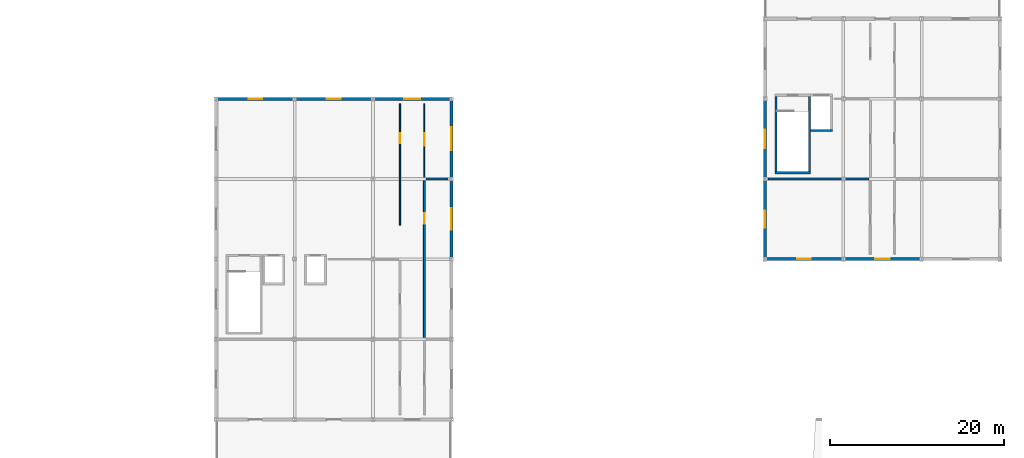
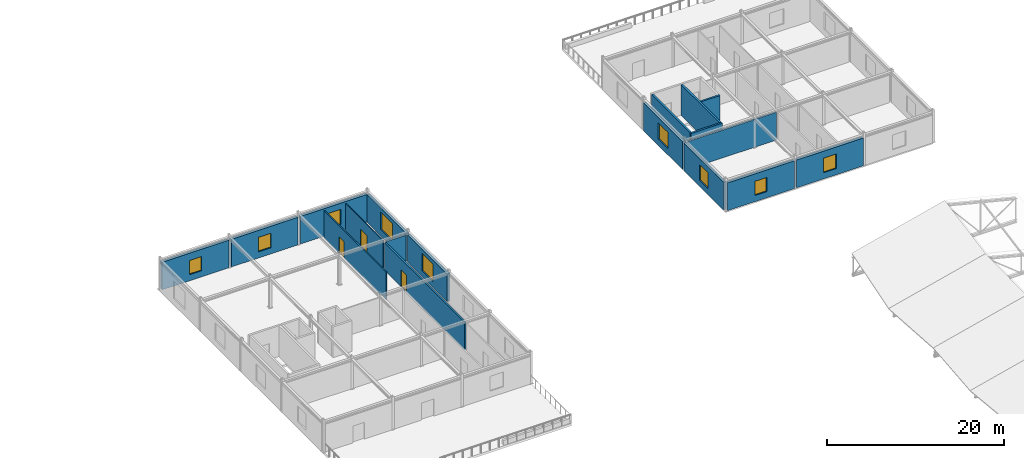
# One storey, part 29 of 33: 18 walls, 9 windows, 3 doors, 12 openings.
"""IFC4 building model written with IfcOpenShell, lengths in metres."""

from ifc_helpers import new_model, si_unit, direction, frame, frame_2d, origin, place, context, subcontext, project, spatial, rectangle, extrude, material, layer, layer_set, type_object, element, fill, save


model = new_model("IFC4")

# Units and contexts
model_context = context("Model", 3, precision=1e-05, world=origin(), true_north=direction((0.0, 1.0)))
body_context = subcontext(model_context, "Body", "Model", "MODEL_VIEW")
ifc_project = project(units=[si_unit("LENGTHUNIT", "METRE"), si_unit("AREAUNIT", "SQUARE_METRE"), si_unit("VOLUMEUNIT", "CUBIC_METRE"), si_unit("PLANEANGLEUNIT", "RADIAN"), si_unit("MASSUNIT", "GRAM", prefix="KILO")], contexts=[model_context])

# Site, building, storey
site_placement = place(None, origin())
site = spatial("IfcSite", under=ifc_project, at=site_placement, CompositionType="ELEMENT")
building_placement = place(site_placement, origin())
building = spatial("IfcBuilding", under=site, at=building_placement, Name="Bozkorgan Art Gallery", CompositionType="ELEMENT")
storey_placement = place(building_placement, frame((0.0, 0.0, 19.5)))
storey = spatial("IfcBuildingStorey", under=building, at=storey_placement, Name="L04", CompositionType="ELEMENT", Elevation=19.5)

# Walls
ifc_material_1 = material(Name="Concrete C40/50", Category="concrete")
ifc_layer_1 = layer(ifc_material_1, 0.25, Name="Concrete C40/50")
ifc_layer_set_1 = layer_set([ifc_layer_1], Name="Concrete C40/50")
wall_type_1 = type_object("IfcWallType", Name="IWALL-CW-51", PredefinedType="SHEAR", material=ifc_layer_set_1)
wall_1_placement = place(storey_placement, frame((138.14990234375, 75.925048828125, 0.0), z_axis=(0.0, 0.0, 1.0), x_axis=(1.0, 0.0, 0.0)))
element("IfcWall", 1, at=wall_1_placement, inside=storey, type_object=wall_type_1, Name="CORE3 L04 stair core S shear wall", PredefinedType="SHEAR", context=body_context, shape_type="SweptSolid", body=[
    extrude(rectangle(XDim=4.10009765625, YDim=0.25, at=frame_2d((2.050048828125, 0.0))), origin(), (0.0, 0.0, 1.0), 4.219970703125),
])
for number, where, z_axis, x_axis, name in (
    (2, (138.27490234375, 76.050048828125, 0.0), (0.0, 0.0, 1.0), (0.0, 1.0, 0.0), "CORE3 L04 stair core W shear wall"),
    (3, (142.125, 76.050048828125, 0.0), (0.0, 0.0, 1.0), (0.0, 1.0, 0.0), "CORE3 L04 stair core E shear wall"),
):
    element("IfcWall", number, at=place(storey_placement, frame(where, z_axis=z_axis, x_axis=x_axis)), inside=storey, type_object=wall_type_1, Name=name, PredefinedType="SHEAR", context=body_context, shape_type="SweptSolid", body=[
        extrude(rectangle(XDim=8.64990234375, YDim=0.25, at=frame_2d((4.324951171875, 0.0))), origin(), (0.0, 0.0, 1.0), 4.219970703125),
    ])
wall_2_placement = place(storey_placement, frame((142.25, 80.77490234375, 0.0), z_axis=(0.0, 0.0, 1.0), x_axis=(1.0, 0.0, 0.0)))
element("IfcWall", 4, at=wall_2_placement, inside=storey, type_object=wall_type_1, Name="GL1 L04 shaft S shear wall", PredefinedType="SHEAR", context=body_context, shape_type="SweptSolid", body=[
    extrude(rectangle(XDim=2.5, YDim=0.25, at=frame_2d((1.25, 0.0))), origin(), (0.0, 0.0, 1.0), 4.219970703125),
])

# Wall, opening, door
ifc_material_2 = material(Name="Acoustic Gypsum & Mineral Wool Partition")
ifc_layer_2 = layer(ifc_material_2, 0.2099609375, Name="Acoustic Gypsum & Mineral Wool Partition")
ifc_layer_set_2 = layer_set([ifc_layer_2], Name="Acoustic Gypsum & Mineral Wool Partition")
wall_type_2 = type_object("IfcWallType", Name="IWALL-PR-38", PredefinedType="PARTITIONING", material=ifc_layer_set_2)
wall_3_placement = place(storey_placement, frame((97.89990234375, 57.02001953125, 0.0), z_axis=(0.0, 0.0, 1.0), x_axis=(0.0, 1.0, 0.0)))
wall_3 = element("IfcWall", 5, at=wall_3_placement, inside=storey, type_object=wall_type_2, Name="V4 L04 acoustic partition wall 268", PredefinedType="PARTITIONING", context=body_context, shape_type="SweptSolid", body=[
    extrude(rectangle(XDim=17.9599609375, YDim=0.2099609375, at=frame_2d((8.97998046875, 0.0))), origin(), (0.0, 0.0, 1.0), 3.804931640625),
])
opening_1_placement = place(wall_3_placement, frame((13.0244140625, 0.0, 0.0)))
opening_1 = element("IfcOpeningElement", 6, at=opening_1_placement, cuts=wall_3, Name="Opening FD-40", PredefinedType="OPENING", context=body_context, shape_type="SweptSolid", body=[
    extrude(rectangle(XDim=1.239990234375, YDim=2.320068359375, at=frame_2d((0.6201171875, 1.16015625))), frame((0.0, 0.114990234375, 0.0), z_axis=(0.0, -1.0, 0.0), x_axis=(1.0, 0.0, 0.0)), (0.0, 0.0, 1.0), 0.22998046875),
])
ifc_material_3 = material(Name="Oiled European Oak Joinery")
door_type_1 = type_object("IfcDoorType", Name="IDOOR-FD-40", OperationType="NOTDEFINED", PredefinedType="DOOR", material=ifc_material_3)
door_1_placement = place(opening_1_placement, origin())
door_1 = element("IfcDoor", 7, at=door_1_placement, inside=storey, type_object=door_type_1, Name="Collection Archive Room Door", OperationType="SINGLE_SWING_RIGHT", OverallHeight=2.320068359375, OverallWidth=1.239990234375, PredefinedType="DOOR", context=body_context, shape_type="SweptSolid", body=[
    extrude(rectangle(XDim=1.239990234375, YDim=2.320068359375, at=frame_2d((0.6201171875, 1.16015625))), frame((0.0, 0.02490234375, 0.0), z_axis=(0.0, -1.0, 0.0), x_axis=(1.0, 0.0, 0.0)), (0.0, 0.0, 1.0), 0.050048828125),
])
fill(opening_1, door_1)

ifc_layer_3 = layer(ifc_material_2, 0.14990234375, Name="Acoustic Gypsum & Mineral Wool Partition")
ifc_layer_set_3 = layer_set([ifc_layer_3], Name="Acoustic Gypsum & Mineral Wool Partition")
wall_type_3 = type_object("IfcWallType", Name="IWALL-PR-55", PredefinedType="PARTITIONING", material=ifc_layer_set_3)
wall_4_placement = place(storey_placement, frame((95.10009765625, 69.89990234375, 0.0), z_axis=(0.0, 0.0, 1.0), x_axis=(0.0, 1.0, 0.0)))
wall_4 = element("IfcWall", 8, at=wall_4_placement, inside=storey, type_object=wall_type_3, Name="V4 L04 acoustic partition wall 265", PredefinedType="PARTITIONING", context=body_context, shape_type="SweptSolid", body=[
    extrude(rectangle(XDim=13.960205078125, YDim=0.14990234375, at=frame_2d((6.97998046875, 0.0))), origin(), (0.0, 0.0, 1.0), 3.804931640625),
])
opening_2_placement = place(wall_4_placement, frame((10.5380859375, 0.0, 0.0), z_axis=(0.0, 0.0, 1.0), x_axis=(-1.0, 0.0, 0.0)))
opening_2 = element("IfcOpeningElement", 9, at=opening_2_placement, cuts=wall_4, Name="Opening FD-89", PredefinedType="OPENING", context=body_context, shape_type="SweptSolid", body=[
    extrude(rectangle(XDim=1.1201171875, YDim=2.260009765625, at=frame_2d((0.56005859375, 1.1298828125))), frame((0.0, 0.0849609375, 0.0), z_axis=(0.0, -1.0, 0.0), x_axis=(1.0, 0.0, 0.0)), (0.0, 0.0, 1.0), 0.169921875),
])
door_type_2 = type_object("IfcDoorType", Name="IDOOR-FD-89", OperationType="NOTDEFINED", PredefinedType="DOOR", material=ifc_material_3)
door_2_placement = place(opening_2_placement, origin())
door_2 = element("IfcDoor", 10, at=door_2_placement, inside=storey, type_object=door_type_2, Name="Donors' Reading Salon Door", OperationType="SINGLE_SWING_RIGHT", OverallHeight=2.260009765625, OverallWidth=1.1201171875, PredefinedType="DOOR", context=body_context, shape_type="SweptSolid", body=[
    extrude(rectangle(XDim=1.1201171875, YDim=2.260009765625, at=frame_2d((0.56005859375, 1.1298828125))), frame((0.0, 0.02490234375, 0.0), z_axis=(0.0, -1.0, 0.0), x_axis=(1.0, 0.0, 0.0)), (0.0, 0.0, 1.0), 0.050048828125),
])
fill(opening_2, door_2)

ifc_layer_4 = layer(ifc_material_2, 0.1298828125, Name="Acoustic Gypsum & Mineral Wool Partition")
ifc_layer_set_4 = layer_set([ifc_layer_4], Name="Acoustic Gypsum & Mineral Wool Partition")
wall_type_4 = type_object("IfcWallType", Name="IWALL-PR-76", PredefinedType="PARTITIONING", material=ifc_layer_set_4)
wall_5_placement = place(storey_placement, frame((97.89990234375, 75.419921875, 0.0), z_axis=(0.0, 0.0, 1.0), x_axis=(0.0, 1.0, 0.0)))
wall_5 = element("IfcWall", 11, at=wall_5_placement, inside=storey, type_object=wall_type_4, Name="V4 L04 acoustic partition wall 270", PredefinedType="PARTITIONING", context=body_context, shape_type="SweptSolid", body=[
    extrude(rectangle(XDim=8.440185546875, YDim=0.1298828125, at=frame_2d((4.22021484375, 0.0))), origin(), (0.0, 0.0, 1.0), 3.804931640625),
])
opening_3_placement = place(wall_5_placement, frame((3.572265625, 0.0, 0.0)))
opening_3 = element("IfcOpeningElement", 12, at=opening_3_placement, cuts=wall_5, Name="Opening GD-47", PredefinedType="OPENING", context=body_context, shape_type="SweptSolid", body=[
    extrude(rectangle(XDim=1.4599609375, YDim=2.320068359375, at=frame_2d((0.72998046875, 1.16015625))), frame((0.0, 0.074951171875, 0.0), z_axis=(0.0, -1.0, 0.0), x_axis=(1.0, 0.0, 0.0)), (0.0, 0.0, 1.0), 0.14990234375),
])
door_type_3 = type_object("IfcDoorType", Name="IDOOR-GD-47", OperationType="NOTDEFINED", PredefinedType="DOOR", material=ifc_material_3)
door_3_placement = place(opening_3_placement, origin())
door_3 = element("IfcDoor", 13, at=door_3_placement, inside=storey, type_object=door_type_3, Name="Winter Sky Belvedere Gallery Door", OperationType="DOUBLE_DOOR_SINGLE_SWING", OverallHeight=2.320068359375, OverallWidth=1.4599609375, PredefinedType="DOOR", context=body_context, shape_type="SweptSolid", body=[
    extrude(rectangle(XDim=1.4599609375, YDim=2.320068359375, at=frame_2d((0.72998046875, 1.16015625))), frame((0.0, 0.02490234375, 0.0), z_axis=(0.0, -1.0, 0.0), x_axis=(1.0, 0.0, 0.0)), (0.0, 0.0, 1.0), 0.050048828125),
])
fill(opening_3, door_3)

# Walls
ifc_layer_5 = layer(ifc_material_2, 0.2099609375, Name="Acoustic Gypsum & Mineral Wool Partition")
ifc_layer_set_5 = layer_set([ifc_layer_5], Name="Acoustic Gypsum & Mineral Wool Partition")
wall_type_5 = type_object("IfcWallType", Name="IWALL-PW-72", PredefinedType="PARTITIONING", material=ifc_layer_set_5)
wall_6_placement = place(storey_placement, frame((137.39990234375, 75.199951171875, 0.0), z_axis=(0.0, 0.0, 1.0), x_axis=(1.0, 0.0, 0.0)))
element("IfcWall", 14, at=wall_6_placement, inside=storey, type_object=wall_type_5, Name="V5 L04 acoustic partition wall 340", PredefinedType="PARTITIONING", context=body_context, shape_type="SweptSolid", body=[
    extrude(rectangle(XDim=11.5, YDim=0.2099609375, at=frame_2d((5.75, 0.0))), origin(), (0.0, 0.0, 1.0), 3.824951171875),
])
ifc_layer_6 = layer(ifc_material_2, 0.22998046875, Name="Acoustic Gypsum & Mineral Wool Partition")
ifc_layer_set_6 = layer_set([ifc_layer_6], Name="Acoustic Gypsum & Mineral Wool Partition")
wall_type_6 = type_object("IfcWallType", Name="IWALL-PW-96", PredefinedType="PARTITIONING", material=ifc_layer_set_6)
wall_7_placement = place(storey_placement, frame((98.10009765625, 75.199951171875, 0.0), z_axis=(0.0, 0.0, 1.0), x_axis=(1.0, 0.0, 0.0)))
element("IfcWall", 15, at=wall_7_placement, inside=storey, type_object=wall_type_6, Name="V4 L04 acoustic partition wall 269", PredefinedType="PARTITIONING", context=body_context, shape_type="SweptSolid", body=[
    extrude(rectangle(XDim=2.5, YDim=0.22998046875, at=frame_2d((1.25, 0.0))), origin(), (0.0, 0.0, 1.0), 3.804931640625),
])

# Wall, opening, window
ifc_material_4 = material(Name="Pressed Terracotta Brick Masonry", Category="masonry")
ifc_layer_7 = layer(ifc_material_4, 0.360107421875, Name="Pressed Terracotta Brick Masonry")
ifc_layer_set_7 = layer_set([ifc_layer_7], Name="Pressed Terracotta Brick Masonry")
wall_type_7 = type_object("IfcWallType", Name="WALL-WB-99", PredefinedType="STANDARD", material=ifc_layer_set_7)
wall_8_placement = place(storey_placement, frame((74.14990234375, 84.39990234375, 0.0), z_axis=(0.0, 0.0, 1.0), x_axis=(1.0, 0.0, 0.0)))
wall_8 = element("IfcWall", 16, at=wall_8_placement, inside=storey, type_object=wall_type_7, Name="V4 L04 exterior facade wall 1N-2", PredefinedType="STANDARD", context=body_context, shape_type="SweptSolid", body=[
    extrude(rectangle(XDim=8.7001953125, YDim=0.360107421875, at=frame_2d((4.35009765625, 0.0))), origin(), (0.0, 0.0, 1.0), 3.804931640625),
])
opening_4_placement = place(wall_8_placement, frame((3.574951171875, 0.0, 0.85009765625)))
opening_4 = element("IfcOpeningElement", 17, at=opening_4_placement, cuts=wall_8, Name="Opening WN-44", PredefinedType="OPENING", context=body_context, shape_type="SweptSolid", body=[
    extrude(rectangle(XDim=1.550048828125, YDim=1.949951171875, at=frame_2d((0.77490234375, 0.97509765625))), frame((0.0, 0.18994140625, 0.0), z_axis=(0.0, -1.0, 0.0), x_axis=(1.0, 0.0, 0.0)), (0.0, 0.0, 1.0), 0.380126953125),
])
ifc_material_5 = material(Name="Triple Low-E Laminated Glass", Category="glass")
window_type_1 = type_object("IfcWindowType", Name="WIN-WN-44", PartitioningType="SINGLE_PANEL", PredefinedType="WINDOW", material=ifc_material_5)
window_1_placement = place(opening_4_placement, origin())
window_1 = element("IfcWindow", 18, at=window_1_placement, inside=storey, type_object=window_type_1, Name="V4 L04 gallery window 1N-2", OverallHeight=1.949951171875, OverallWidth=1.550048828125, PartitioningType="SINGLE_PANEL", PredefinedType="WINDOW", context=body_context, shape_type="SweptSolid", body=[
    extrude(rectangle(XDim=1.550048828125, YDim=1.949951171875, at=frame_2d((0.77490234375, 0.97509765625))), frame((0.0, 0.030029296875, 0.0), z_axis=(0.0, -1.0, 0.0), x_axis=(1.0, 0.0, 0.0)), (0.0, 0.0, 1.0), 0.06005859375),
])
fill(opening_4, window_1)

wall_9_placement = place(storey_placement, frame((83.14990234375, 84.39990234375, 0.0), z_axis=(0.0, 0.0, 1.0), x_axis=(1.0, 0.0, 0.0)))
wall_9 = element("IfcWall", 19, at=wall_9_placement, inside=storey, type_object=wall_type_7, Name="V4 L04 exterior facade wall 1N-4", PredefinedType="STANDARD", context=body_context, shape_type="SweptSolid", body=[
    extrude(rectangle(XDim=8.7001953125, YDim=0.360107421875, at=frame_2d((4.35009765625, 0.0))), origin(), (0.0, 0.0, 1.0), 3.804931640625),
])
opening_5_placement = place(wall_9_placement, frame((3.52490234375, 0.0, 0.85009765625)))
opening_5 = element("IfcOpeningElement", 20, at=opening_5_placement, cuts=wall_9, Name="Opening WN-36", PredefinedType="OPENING", context=body_context, shape_type="SweptSolid", body=[
    extrude(rectangle(XDim=1.64990234375, YDim=2.0, at=frame_2d((0.824951171875, 1.0))), frame((0.0, 0.18994140625, 0.0), z_axis=(0.0, -1.0, 0.0), x_axis=(1.0, 0.0, 0.0)), (0.0, 0.0, 1.0), 0.380126953125),
])
window_type_2 = type_object("IfcWindowType", Name="WIN-WN-36", PartitioningType="SINGLE_PANEL", PredefinedType="WINDOW", material=ifc_material_5)
window_2_placement = place(opening_5_placement, origin())
window_2 = element("IfcWindow", 21, at=window_2_placement, inside=storey, type_object=window_type_2, Name="V4 L04 gallery window 1N-4", OverallHeight=2.0, OverallWidth=1.64990234375, PartitioningType="SINGLE_PANEL", PredefinedType="WINDOW", context=body_context, shape_type="SweptSolid", body=[
    extrude(rectangle(XDim=1.64990234375, YDim=2.0, at=frame_2d((0.824951171875, 1.0))), frame((0.0, 0.030029296875, 0.0), z_axis=(0.0, -1.0, 0.0), x_axis=(1.0, 0.0, 0.0)), (0.0, 0.0, 1.0), 0.06005859375),
])
fill(opening_5, window_2)

wall_10_placement = place(storey_placement, frame((92.14990234375, 84.39990234375, 0.0), z_axis=(0.0, 0.0, 1.0), x_axis=(1.0, 0.0, 0.0)))
wall_10 = element("IfcWall", 22, at=wall_10_placement, inside=storey, type_object=wall_type_7, Name="V4 L04 exterior facade wall 1N-6", PredefinedType="STANDARD", context=body_context, shape_type="SweptSolid", body=[
    extrude(rectangle(XDim=8.7001953125, YDim=0.360107421875, at=frame_2d((4.35009765625, 0.0))), origin(), (0.0, 0.0, 1.0), 3.804931640625),
])
opening_6_placement = place(wall_10_placement, frame((3.425048828125, 0.0, 0.85009765625)))
opening_6 = element("IfcOpeningElement", 23, at=opening_6_placement, cuts=wall_10, Name="Opening WN-04", PredefinedType="OPENING", context=body_context, shape_type="SweptSolid", body=[
    extrude(rectangle(XDim=1.85009765625, YDim=2.10009765625, at=frame_2d((0.925048828125, 1.050048828125))), frame((0.0, 0.18994140625, 0.0), z_axis=(0.0, -1.0, 0.0), x_axis=(1.0, 0.0, 0.0)), (0.0, 0.0, 1.0), 0.380126953125),
])
window_type_3 = type_object("IfcWindowType", Name="WIN-WN-04", PartitioningType="SINGLE_PANEL", PredefinedType="WINDOW", material=ifc_material_5)
window_3_placement = place(opening_6_placement, origin())
window_3 = element("IfcWindow", 24, at=window_3_placement, inside=storey, type_object=window_type_3, Name="V4 L04 gallery window 1N-6", OverallHeight=2.10009765625, OverallWidth=1.85009765625, PartitioningType="SINGLE_PANEL", PredefinedType="WINDOW", context=body_context, shape_type="SweptSolid", body=[
    extrude(rectangle(XDim=1.85009765625, YDim=2.10009765625, at=frame_2d((0.925048828125, 1.050048828125))), frame((0.0, 0.030029296875, 0.0), z_axis=(0.0, -1.0, 0.0), x_axis=(1.0, 0.0, 0.0)), (0.0, 0.0, 1.0), 0.06005859375),
])
fill(opening_6, window_3)

wall_11_placement = place(storey_placement, frame((101.0, 66.159912109375, 0.0), z_axis=(0.0, 0.0, 1.0), x_axis=(0.0, 1.0, 0.0)))
wall_11 = element("IfcWall", 25, at=wall_11_placement, inside=storey, type_object=wall_type_7, Name="V4 L04 exterior facade wall 1E-12", PredefinedType="STANDARD", context=body_context, shape_type="SweptSolid", body=[
    extrude(rectangle(XDim=8.880126953125, YDim=0.360107421875, at=frame_2d((4.43994140625, 0.0))), origin(), (0.0, 0.0, 1.0), 3.804931640625),
])
opening_7_placement = place(wall_11_placement, frame((5.6650390625, 0.0, 0.85009765625), z_axis=(0.0, 0.0, 1.0), x_axis=(-1.0, 0.0, 0.0)))
opening_7 = element("IfcOpeningElement", 26, at=opening_7_placement, cuts=wall_11, Name="Opening WN-83", PredefinedType="OPENING", context=body_context, shape_type="SweptSolid", body=[
    extrude(rectangle(XDim=2.449951171875, YDim=2.39990234375, at=frame_2d((1.22509765625, 1.199951171875))), frame((0.0, 0.18994140625, 0.0), z_axis=(0.0, -1.0, 0.0), x_axis=(1.0, 0.0, 0.0)), (0.0, 0.0, 1.0), 0.380126953125),
])
window_type_4 = type_object("IfcWindowType", Name="WIN-WN-83", PartitioningType="SINGLE_PANEL", PredefinedType="WINDOW", material=ifc_material_5)
window_4_placement = place(opening_7_placement, origin())
window_4 = element("IfcWindow", 27, at=window_4_placement, inside=storey, type_object=window_type_4, Name="V4 L04 gallery window 1E-12", OverallHeight=2.39990234375, OverallWidth=2.449951171875, PartitioningType="SINGLE_PANEL", PredefinedType="WINDOW", context=body_context, shape_type="SweptSolid", body=[
    extrude(rectangle(XDim=2.449951171875, YDim=2.39990234375, at=frame_2d((1.22509765625, 1.199951171875))), frame((0.0, 0.030029296875, 0.0), z_axis=(0.0, -1.0, 0.0), x_axis=(1.0, 0.0, 0.0)), (0.0, 0.0, 1.0), 0.06005859375),
])
fill(opening_7, window_4)

wall_12_placement = place(storey_placement, frame((101.0, 75.360107421875, 0.0), z_axis=(0.0, 0.0, 1.0), x_axis=(0.0, 1.0, 0.0)))
wall_12 = element("IfcWall", 28, at=wall_12_placement, inside=storey, type_object=wall_type_7, Name="V4 L04 exterior facade wall 1E-14", PredefinedType="STANDARD", context=body_context, shape_type="SweptSolid", body=[
    extrude(rectangle(XDim=8.8798828125, YDim=0.360107421875, at=frame_2d((4.43994140625, 0.0))), origin(), (0.0, 0.0, 1.0), 3.804931640625),
])
opening_8_placement = place(wall_12_placement, frame((5.764892578125, 0.0, 0.85009765625), z_axis=(0.0, 0.0, 1.0), x_axis=(-1.0, 0.0, 0.0)))
opening_8 = element("IfcOpeningElement", 29, at=opening_8_placement, cuts=wall_12, Name="Opening WN-80", PredefinedType="OPENING", context=body_context, shape_type="SweptSolid", body=[
    extrude(rectangle(XDim=2.64990234375, YDim=2.449951171875, at=frame_2d((1.324951171875, 1.22509765625))), frame((0.0, 0.18994140625, 0.0), z_axis=(0.0, -1.0, 0.0), x_axis=(1.0, 0.0, 0.0)), (0.0, 0.0, 1.0), 0.380126953125),
])
window_type_5 = type_object("IfcWindowType", Name="WIN-WN-80", PartitioningType="SINGLE_PANEL", PredefinedType="WINDOW", material=ifc_material_5)
window_5_placement = place(opening_8_placement, origin())
window_5 = element("IfcWindow", 30, at=window_5_placement, inside=storey, type_object=window_type_5, Name="V4 L04 gallery window 1E-14", OverallHeight=2.449951171875, OverallWidth=2.64990234375, PartitioningType="SINGLE_PANEL", PredefinedType="WINDOW", context=body_context, shape_type="SweptSolid", body=[
    extrude(rectangle(XDim=2.64990234375, YDim=2.449951171875, at=frame_2d((1.324951171875, 1.22509765625))), frame((0.0, 0.030029296875, 0.0), z_axis=(0.0, -1.0, 0.0), x_axis=(1.0, 0.0, 0.0)), (0.0, 0.0, 1.0), 0.06005859375),
])
fill(opening_8, window_5)

wall_13_placement = place(storey_placement, frame((137.14990234375, 66.0, 0.0), z_axis=(0.0, 0.0, 1.0), x_axis=(1.0, 0.0, 0.0)))
wall_13 = element("IfcWall", 31, at=wall_13_placement, inside=storey, type_object=wall_type_7, Name="V5 L04 exterior facade wall 1S-1", PredefinedType="STANDARD", context=body_context, shape_type="SweptSolid", body=[
    extrude(rectangle(XDim=8.7001953125, YDim=0.360107421875, at=frame_2d((4.35009765625, 0.0))), origin(), (0.0, 0.0, 1.0), 3.824951171875),
])
opening_9_placement = place(wall_13_placement, frame((5.125, 0.0, 0.85009765625), z_axis=(0.0, 0.0, 1.0), x_axis=(-1.0, 0.0, 0.0)))
opening_9 = element("IfcOpeningElement", 32, at=opening_9_placement, cuts=wall_13, Name="Opening WN-44", PredefinedType="OPENING", context=body_context, shape_type="SweptSolid", body=[
    extrude(rectangle(XDim=1.550048828125, YDim=1.949951171875, at=frame_2d((0.77490234375, 0.97509765625))), frame((0.0, 0.18994140625, 0.0), z_axis=(0.0, -1.0, 0.0), x_axis=(1.0, 0.0, 0.0)), (0.0, 0.0, 1.0), 0.380126953125),
])
window_6_placement = place(opening_9_placement, origin())
window_6 = element("IfcWindow", 33, at=window_6_placement, inside=storey, type_object=window_type_1, Name="V5 L04 gallery window 1S-1", OverallHeight=1.949951171875, OverallWidth=1.550048828125, PartitioningType="SINGLE_PANEL", PredefinedType="WINDOW", context=body_context, shape_type="SweptSolid", body=[
    extrude(rectangle(XDim=1.550048828125, YDim=1.949951171875, at=frame_2d((0.77490234375, 0.97509765625))), frame((0.0, 0.030029296875, 0.0), z_axis=(0.0, -1.0, 0.0), x_axis=(1.0, 0.0, 0.0)), (0.0, 0.0, 1.0), 0.06005859375),
])
fill(opening_9, window_6)

wall_14_placement = place(storey_placement, frame((146.14990234375, 66.0, 0.0), z_axis=(0.0, 0.0, 1.0), x_axis=(1.0, 0.0, 0.0)))
wall_14 = element("IfcWall", 34, at=wall_14_placement, inside=storey, type_object=wall_type_7, Name="V5 L04 exterior facade wall 1S-3", PredefinedType="STANDARD", context=body_context, shape_type="SweptSolid", body=[
    extrude(rectangle(XDim=8.7001953125, YDim=0.360107421875, at=frame_2d((4.35009765625, 0.0))), origin(), (0.0, 0.0, 1.0), 3.824951171875),
])
opening_10_placement = place(wall_14_placement, frame((5.1748046875, 0.0, 0.85009765625), z_axis=(0.0, 0.0, 1.0), x_axis=(-1.0, 0.0, 0.0)))
opening_10 = element("IfcOpeningElement", 35, at=opening_10_placement, cuts=wall_14, Name="Opening WN-36", PredefinedType="OPENING", context=body_context, shape_type="SweptSolid", body=[
    extrude(rectangle(XDim=1.64990234375, YDim=2.0, at=frame_2d((0.824951171875, 1.0))), frame((0.0, 0.18994140625, 0.0), z_axis=(0.0, -1.0, 0.0), x_axis=(1.0, 0.0, 0.0)), (0.0, 0.0, 1.0), 0.380126953125),
])
window_7_placement = place(opening_10_placement, origin())
window_7 = element("IfcWindow", 36, at=window_7_placement, inside=storey, type_object=window_type_2, Name="V5 L04 gallery window 1S-3", OverallHeight=2.0, OverallWidth=1.64990234375, PartitioningType="SINGLE_PANEL", PredefinedType="WINDOW", context=body_context, shape_type="SweptSolid", body=[
    extrude(rectangle(XDim=1.64990234375, YDim=2.0, at=frame_2d((0.824951171875, 1.0))), frame((0.0, 0.030029296875, 0.0), z_axis=(0.0, -1.0, 0.0), x_axis=(1.0, 0.0, 0.0)), (0.0, 0.0, 1.0), 0.06005859375),
])
fill(opening_10, window_7)

wall_15_placement = place(storey_placement, frame((137.0, 66.169921875, 0.0), z_axis=(0.0, 0.0, 1.0), x_axis=(0.0, 1.0, 0.0)))
wall_15 = element("IfcWall", 37, at=wall_15_placement, inside=storey, type_object=wall_type_7, Name="V5 L04 exterior facade wall 1W-7", PredefinedType="STANDARD", context=body_context, shape_type="SweptSolid", body=[
    extrude(rectangle(XDim=8.860107421875, YDim=0.360107421875, at=frame_2d((4.43017578125, 0.0))), origin(), (0.0, 0.0, 1.0), 3.824951171875),
])
opening_11_placement = place(wall_15_placement, frame((3.455078125, 0.0, 0.85009765625)))
opening_11 = element("IfcOpeningElement", 38, at=opening_11_placement, cuts=wall_15, Name="Opening WN-18", PredefinedType="OPENING", context=body_context, shape_type="SweptSolid", body=[
    extrude(rectangle(XDim=1.949951171875, YDim=2.14990234375, at=frame_2d((0.97509765625, 1.074951171875))), frame((0.0, 0.18994140625, 0.0), z_axis=(0.0, -1.0, 0.0), x_axis=(1.0, 0.0, 0.0)), (0.0, 0.0, 1.0), 0.380126953125),
])
window_type_6 = type_object("IfcWindowType", Name="WIN-WN-18", PartitioningType="SINGLE_PANEL", PredefinedType="WINDOW", material=ifc_material_5)
window_8_placement = place(opening_11_placement, origin())
window_8 = element("IfcWindow", 39, at=window_8_placement, inside=storey, type_object=window_type_6, Name="V5 L04 gallery window 1W-7", OverallHeight=2.14990234375, OverallWidth=1.949951171875, PartitioningType="SINGLE_PANEL", PredefinedType="WINDOW", context=body_context, shape_type="SweptSolid", body=[
    extrude(rectangle(XDim=1.949951171875, YDim=2.14990234375, at=frame_2d((0.97509765625, 1.074951171875))), frame((0.0, 0.030029296875, 0.0), z_axis=(0.0, -1.0, 0.0), x_axis=(1.0, 0.0, 0.0)), (0.0, 0.0, 1.0), 0.06005859375),
])
fill(opening_11, window_8)

wall_16_placement = place(storey_placement, frame((137.0, 75.3701171875, 0.0), z_axis=(0.0, 0.0, 1.0), x_axis=(0.0, 1.0, 0.0)))
wall_16 = element("IfcWall", 40, at=wall_16_placement, inside=storey, type_object=wall_type_7, Name="V5 L04 exterior facade wall 1W-9", PredefinedType="STANDARD", context=body_context, shape_type="SweptSolid", body=[
    extrude(rectangle(XDim=8.85986328125, YDim=0.360107421875, at=frame_2d((4.429931640625, 0.0))), origin(), (0.0, 0.0, 1.0), 3.824951171875),
])
opening_12_placement = place(wall_16_placement, frame((3.35498046875, 0.0, 0.85009765625)))
opening_12 = element("IfcOpeningElement", 41, at=opening_12_placement, cuts=wall_16, Name="Opening WN-56", PredefinedType="OPENING", context=body_context, shape_type="SweptSolid", body=[
    extrude(rectangle(XDim=2.14990234375, YDim=2.25, at=frame_2d((1.074951171875, 1.125))), frame((0.0, 0.18994140625, 0.0), z_axis=(0.0, -1.0, 0.0), x_axis=(1.0, 0.0, 0.0)), (0.0, 0.0, 1.0), 0.380126953125),
])
window_type_7 = type_object("IfcWindowType", Name="WIN-WN-56", PartitioningType="SINGLE_PANEL", PredefinedType="WINDOW", material=ifc_material_5)
window_9_placement = place(opening_12_placement, origin())
window_9 = element("IfcWindow", 42, at=window_9_placement, inside=storey, type_object=window_type_7, Name="V5 L04 gallery window 1W-9", OverallHeight=2.25, OverallWidth=2.14990234375, PartitioningType="SINGLE_PANEL", PredefinedType="WINDOW", context=body_context, shape_type="SweptSolid", body=[
    extrude(rectangle(XDim=2.14990234375, YDim=2.25, at=frame_2d((1.074951171875, 1.125))), frame((0.0, 0.030029296875, 0.0), z_axis=(0.0, -1.0, 0.0), x_axis=(1.0, 0.0, 0.0)), (0.0, 0.0, 1.0), 0.06005859375),
])
fill(opening_12, window_9)

save(model, "model.ifc")
